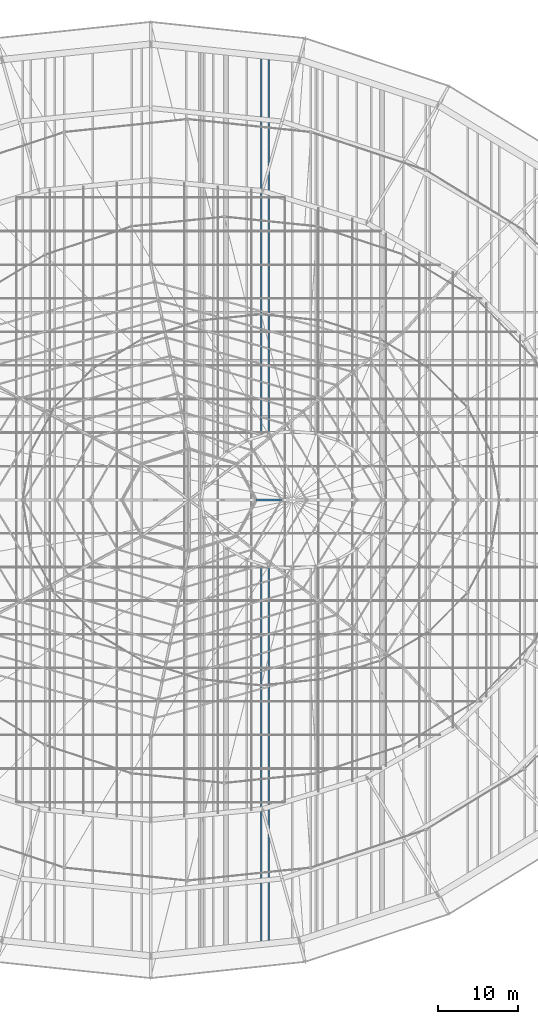
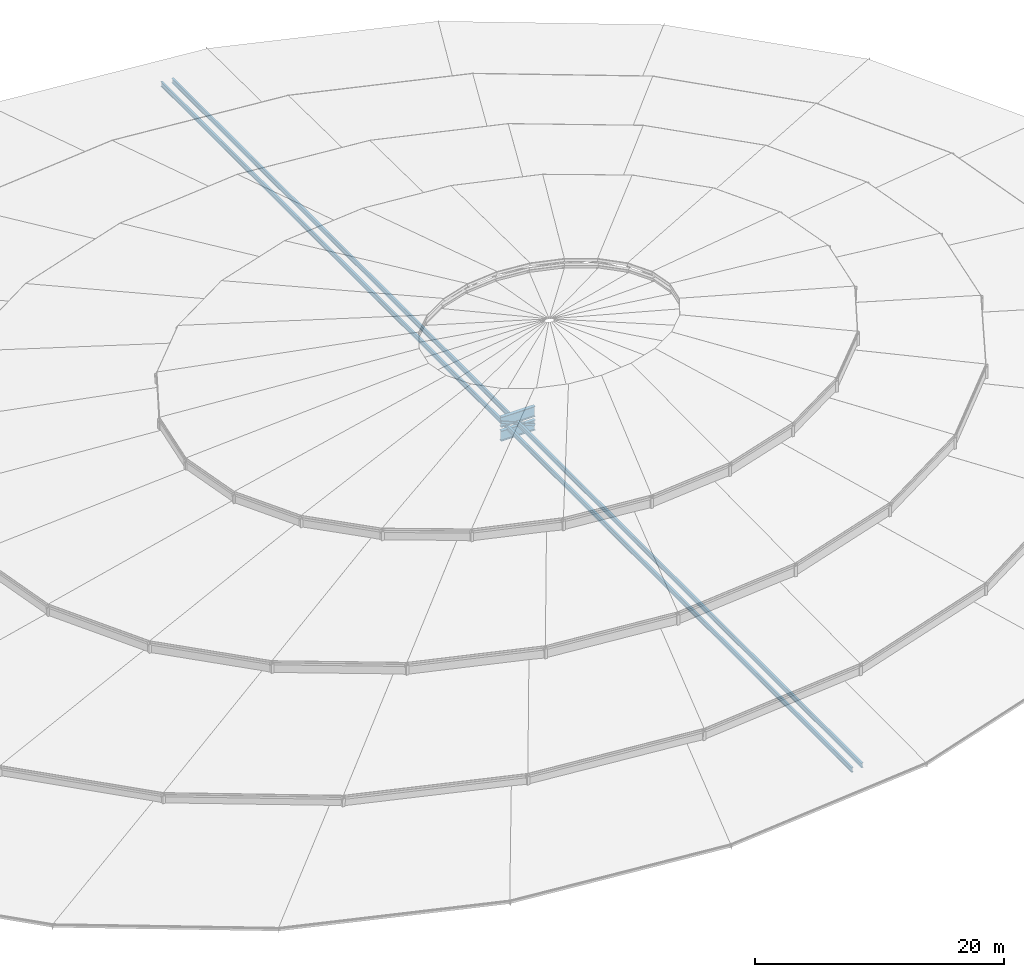
# One storey, part 68 of 184: 3 members, 2 beams.
"""IFC4 building model written with IfcOpenShell, lengths in metres."""

from ifc_helpers import new_model, si_unit, direction, frame, origin, origin_2d, place, context, subcontext, project, spatial, hollow_rectangle, i_section, extrude, material, material_profile, profile_set, type_object, element, save


model = new_model("IFC4")

# Units and contexts
model_context = context("Model", 3, precision=1e-05, world=origin(), true_north=direction((0.0, 1.0)))
body_context = subcontext(model_context, "Body", "Model", "MODEL_VIEW")
ifc_project = project(units=[si_unit("LENGTHUNIT", "METRE"), si_unit("AREAUNIT", "SQUARE_METRE"), si_unit("VOLUMEUNIT", "CUBIC_METRE"), si_unit("PLANEANGLEUNIT", "RADIAN"), si_unit("MASSUNIT", "GRAM", prefix="KILO")], contexts=[model_context])

# Site, building, storey
site_placement = place(None, origin())
site = spatial("IfcSite", under=ifc_project, at=site_placement, CompositionType="ELEMENT")
building_placement = place(site_placement, origin())
building = spatial("IfcBuilding", under=site, at=building_placement, Name="Kalgoora Escarpment Arena", CompositionType="ELEMENT")
storey_placement = place(building_placement, frame((0.0, 0.0, 27.60009765625)))
storey = spatial("IfcBuildingStorey", under=building, at=storey_placement, Name="Roof Level", CompositionType="ELEMENT", Elevation=27.60009765625)

# Beams
ifc_material_1 = material(Name="Structural steel Grade 350 (350 MPa)", Category="steel")
ifc_material_profile_1 = material_profile(ifc_material_1, i_section(OverallWidth=0.300048828125, OverallDepth=1.010009765625, WebThickness=0.01611328125, FlangeThickness=0.030029296875, at=origin_2d()))
ifc_profile_set_1 = profile_set([ifc_material_profile_1], Name="Structural steel Grade 350 (350 MPa)")
beam_type = type_object("IfcBeamType", Name="BM-TRUSS-CHORD", PredefinedType="USERDEFINED", material=ifc_profile_set_1)
for number, where, z_axis, x_axis, name in (
    (1, (108.751953125, 64.0, -1.60498046875), (-0.999998809254, 0.0, 0.001543208039), (0.0, -1.0, 0.0), "Radial ROOF TRUSS spine 1 bottom chord 11"),
    (2, (108.751953125, 64.0, -0.260009765625), (-0.999994995918, 0.0, 0.003163564416), (0.0, -1.0, 0.0), "Radial ROOF TRUSS spine 1 top chord 11"),
):
    element("IfcBeam", number, at=place(storey_placement, frame(where, z_axis=z_axis, x_axis=x_axis)), inside=storey, type_object=beam_type, Name=name, ObjectType="GIRDER", PredefinedType="USERDEFINED", context=body_context, shape_type="SweptSolid", body=[
        extrude(i_section(OverallWidth=0.300048828125, OverallDepth=1.010009765625, WebThickness=0.01611328125, FlangeThickness=0.030029296875, at=origin_2d()), origin(), (0.0, 0.0, 1.0), 3.1640625),
    ])

# Members
ifc_material_2 = material(Name="Structural steel AS/NZS 3679 (300 MPa)", Category="steel")
ifc_material_profile_2 = material_profile(ifc_material_2, i_section(OverallWidth=0.19091796875, OverallDepth=0.4599609375, WebThickness=0.010009765625, FlangeThickness=0.01611328125, at=origin_2d()))
ifc_profile_set_2 = profile_set([ifc_material_profile_2], Name="Structural steel AS/NZS 3679 (300 MPa)")
member_type_1 = type_object("IfcMemberType", Name="MEM-CARRIER-CHORD", PredefinedType="CHORD", material=ifc_profile_set_2)
member_1_placement = place(storey_placement, frame((106.199951171875, 8.4423828125, -0.960205078125), z_axis=(0.0, 1.0, 0.0), x_axis=(-1.0, 0.0, 0.0)))
element("IfcMember", 3, at=member_1_placement, inside=storey, type_object=member_type_1, Name="Petal RP4 spanning carrier chord C07", PredefinedType="CHORD", context=body_context, shape_type="SweptSolid", body=[
    extrude(i_section(OverallWidth=0.19091796875, OverallDepth=0.4599609375, WebThickness=0.010009765625, FlangeThickness=0.01611328125, at=origin_2d()), origin(), (0.0, 0.0, 1.0), 111.115234375),
])
member_2_placement = place(storey_placement, frame((107.159423828125, 8.54248046875, -0.900146484375), z_axis=(0.0, 1.0, 0.0), x_axis=(-1.0, 0.0, 0.0)))
element("IfcMember", 4, at=member_2_placement, inside=storey, type_object=member_type_1, Name="Crown dome spanning carrier chord C08", PredefinedType="CHORD", context=body_context, shape_type="SweptSolid", body=[
    extrude(i_section(OverallWidth=0.19091796875, OverallDepth=0.4599609375, WebThickness=0.010009765625, FlangeThickness=0.01611328125, at=origin_2d()), origin(), (0.0, 0.0, 1.0), 110.9150390625),
])
ifc_material_3 = material(Name="Structural steel C350 (350 MPa)", Category="steel")
ifc_material_profile_3 = material_profile(ifc_material_3, hollow_rectangle(XDim=0.199951171875, YDim=0.199951171875, WallThickness=0.009033203125, at=origin_2d()))
ifc_profile_set_3 = profile_set([ifc_material_profile_3], Name="Structural steel C350 (350 MPa)")
member_type_2 = type_object("IfcMemberType", Name="MEM-TRUSS-DIAG", PredefinedType="BRACE", material=ifc_profile_set_3)
member_3_placement = place(storey_placement, frame((108.739990234375, 64.0, -1.60498046875), z_axis=(-0.918156220432, 0.0, 0.396218569582), x_axis=(0.0, 1.0, 0.0)))
element("IfcMember", 5, at=member_3_placement, inside=storey, type_object=member_type_2, Name="Radial ROOF TRUSS spine 1 web diagonal 11", PredefinedType="BRACE", context=body_context, shape_type="SweptSolid", body=[
    extrude(hollow_rectangle(XDim=0.199951171875, YDim=0.199951171875, WallThickness=0.009033203125, at=origin_2d()), origin(), (0.0, 0.0, 1.0), 3.419677734375),
])

save(model, "model.ifc")
